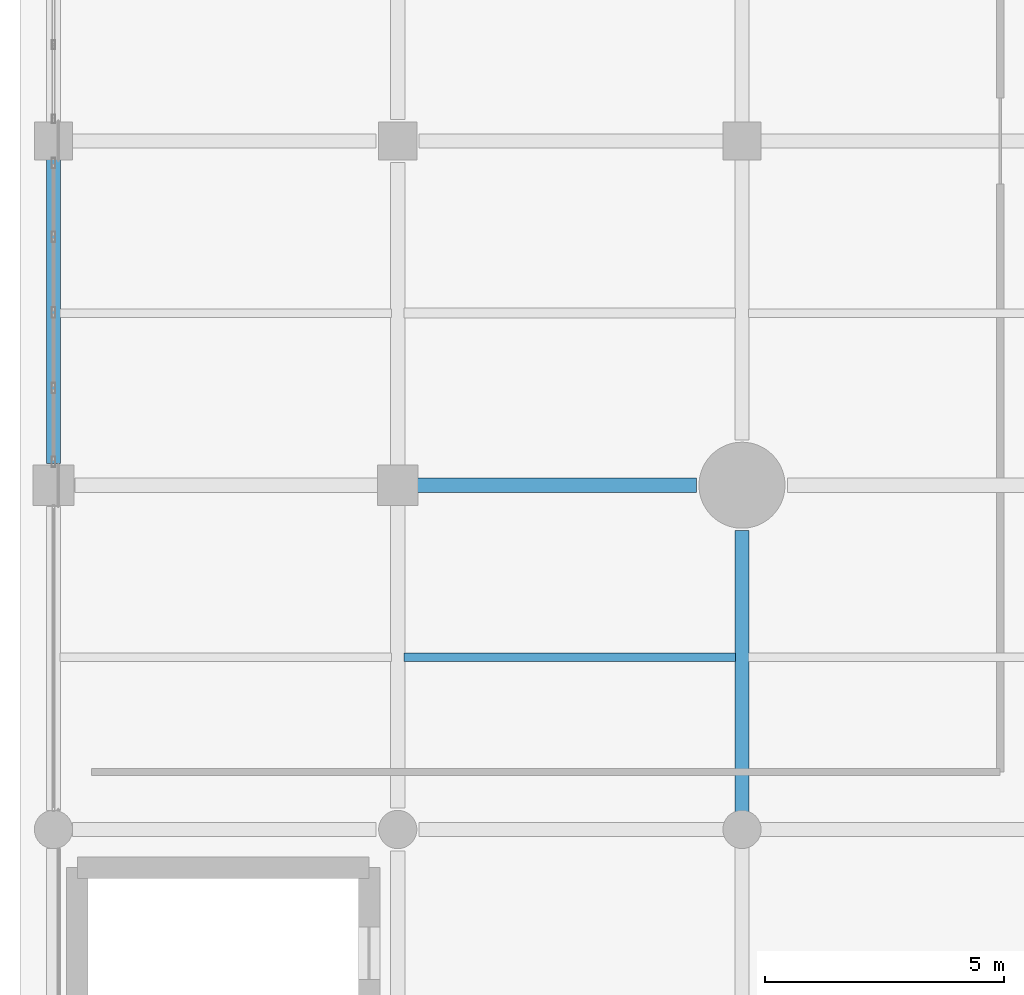
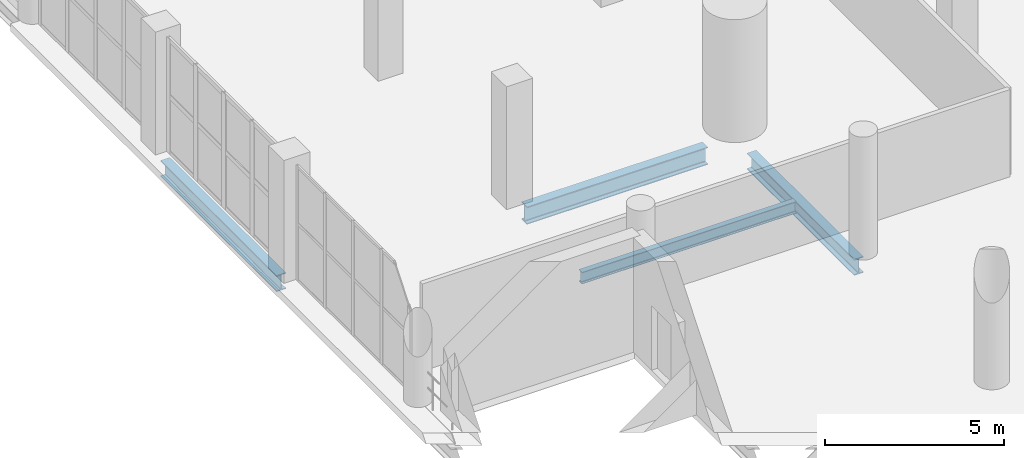
# One storey, part 48 of 153: 4 beams.
"""IFC4 building model written with IfcOpenShell, lengths in metres."""

from ifc_helpers import new_model, si_unit, direction, frame, origin, origin_2d, place, context, subcontext, project, spatial, i_section, extrude, material, material_profile, profile_set, type_object, element, save


model = new_model("IFC4")

# Units and contexts
model_context = context("Model", 3, precision=1e-05, world=origin(), true_north=direction((0.0, 1.0)))
body_context = subcontext(model_context, "Body", "Model", "MODEL_VIEW")
ifc_project = project(units=[si_unit("LENGTHUNIT", "METRE"), si_unit("AREAUNIT", "SQUARE_METRE"), si_unit("VOLUMEUNIT", "CUBIC_METRE"), si_unit("PLANEANGLEUNIT", "RADIAN"), si_unit("MASSUNIT", "GRAM", prefix="KILO")], contexts=[model_context])

# Site, building, storey
site_placement = place(None, origin())
site = spatial("IfcSite", under=ifc_project, at=site_placement, CompositionType="ELEMENT")
building_placement = place(site_placement, origin())
building = spatial("IfcBuilding", under=site, at=building_placement, Name="Qandorah Velis Arena", CompositionType="ELEMENT")
storey_placement = place(building_placement, frame((0.0, 0.0, 5.39990234375)))
storey = spatial("IfcBuildingStorey", under=building, at=storey_placement, Name="L01", CompositionType="ELEMENT", Elevation=5.39990234375)

# Beams
ifc_material = material(Name="Steel S355", Category="steel")
ifc_material_profile_1 = material_profile(ifc_material, i_section(OverallWidth=0.300048828125, OverallDepth=0.550048828125, WebThickness=0.014892578125, FlangeThickness=0.029052734375, FilletRadius=0.027099609375, at=origin_2d()), Name="HEB 550")
ifc_profile_set_1 = profile_set([ifc_material_profile_1], Name="Steel S355")
beam_type_1 = type_object("IfcBeamType", Name="STR-BM-HEB550", PredefinedType="BEAM", material=ifc_profile_set_1)
beam_1_placement = place(storey_placement, frame((0.0, 101.25, -0.635009765625), z_axis=(0.0, 1.0, 0.0), x_axis=(-1.0, 0.0, 0.0)))
element("IfcBeam", 1, at=beam_1_placement, inside=storey, type_object=beam_type_1, Name="Primary floor girder L01 Y-234", PredefinedType="BEAM", context=body_context, shape_type="SweptSolid", body=[
    extrude(i_section(OverallWidth=0.300048828125, OverallDepth=0.550048828125, WebThickness=0.014892578125, FlangeThickness=0.029052734375, FilletRadius=0.027099609375, at=origin_2d()), origin(), (0.0, 0.0, 1.0), 6.5),
])
beam_2_placement = place(storey_placement, frame((14.39990234375, 93.85009765625, -0.635009765625), z_axis=(0.0, 1.0, 0.0), x_axis=(-1.0, 0.0, 0.0)))
element("IfcBeam", 2, at=beam_2_placement, inside=storey, type_object=beam_type_1, Name="Primary floor girder L01 Y-269", PredefinedType="BEAM", context=body_context, shape_type="SweptSolid", body=[
    extrude(i_section(OverallWidth=0.300048828125, OverallDepth=0.550048828125, WebThickness=0.014892578125, FlangeThickness=0.029052734375, FilletRadius=0.027099609375, at=origin_2d()), origin(), (0.0, 0.0, 1.0), 6.0),
])
ifc_material_profile_2 = material_profile(ifc_material, i_section(OverallWidth=0.300048828125, OverallDepth=0.60009765625, WebThickness=0.015380859375, FlangeThickness=0.030029296875, FilletRadius=0.027099609375, at=origin_2d()), Name="HEB 600")
ifc_profile_set_2 = profile_set([ifc_material_profile_2], Name="Steel S355")
beam_type_2 = type_object("IfcBeamType", Name="STR-BM-HEB600", PredefinedType="BEAM", material=ifc_profile_set_2)
beam_3_placement = place(storey_placement, frame((7.60009765625, 100.800048828125, -0.659912109375), z_axis=(1.0, 0.0, 0.0), x_axis=(0.0, 1.0, 0.0)))
element("IfcBeam", 3, at=beam_3_placement, inside=storey, type_object=beam_type_2, Name="Primary floor girder L01 X-146", PredefinedType="BEAM", context=body_context, shape_type="SweptSolid", body=[
    extrude(i_section(OverallWidth=0.300048828125, OverallDepth=0.60009765625, WebThickness=0.015380859375, FlangeThickness=0.030029296875, FilletRadius=0.027099609375, at=origin_2d()), origin(), (0.0, 0.0, 1.0), 5.849853515625),
])
ifc_material_profile_3 = material_profile(ifc_material, i_section(OverallWidth=0.179931640625, OverallDepth=0.39990234375, WebThickness=0.008544921875, FlangeThickness=0.013427734375, FilletRadius=0.02099609375, at=origin_2d()), Name="IPE 400")
ifc_profile_set_3 = profile_set([ifc_material_profile_3], Name="Steel S355")
beam_type_3 = type_object("IfcBeamType", Name="STR-JST-IPE400", PredefinedType="JOIST", material=ifc_profile_set_3)
beam_4_placement = place(storey_placement, frame((7.3349609375, 97.199951171875, -0.559814453125), z_axis=(1.0, 0.0, 0.0), x_axis=(0.0, 1.0, 0.0)))
element("IfcBeam", 4, at=beam_4_placement, inside=storey, type_object=beam_type_3, Name="Secondary floor joist L01-028", PredefinedType="JOIST", context=body_context, shape_type="SweptSolid", body=[
    extrude(i_section(OverallWidth=0.179931640625, OverallDepth=0.39990234375, WebThickness=0.008544921875, FlangeThickness=0.013427734375, FilletRadius=0.02099609375, at=origin_2d()), origin(), (0.0, 0.0, 1.0), 6.929931640625),
])

save(model, "model.ifc")
